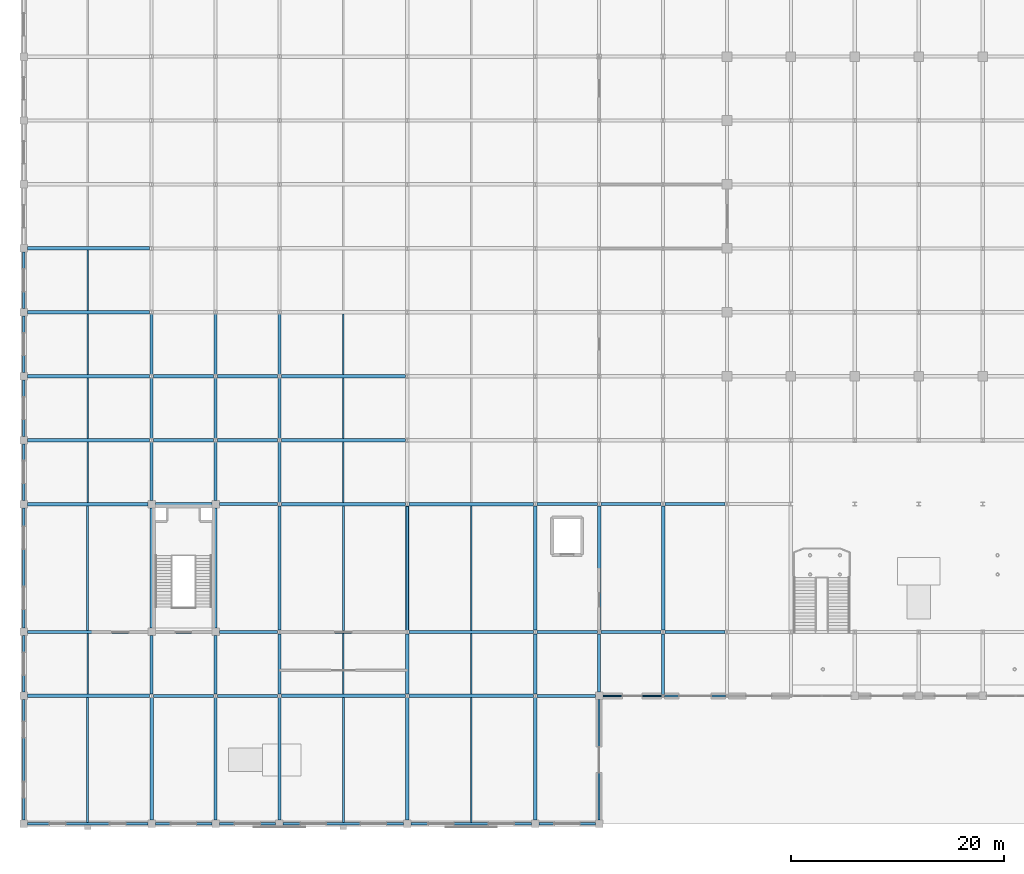
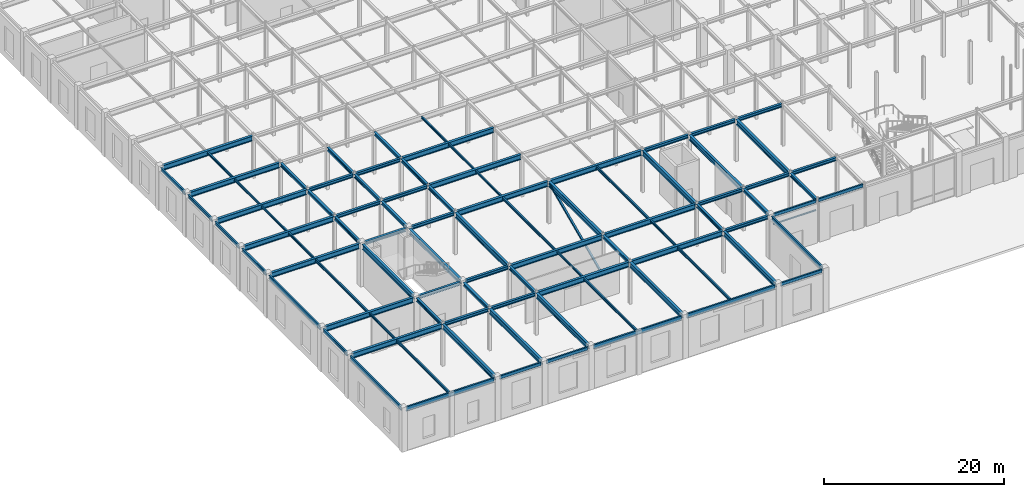
# One storey, part 28 of 51: 93 beams, 1 member.
"""IFC4 building model written with IfcOpenShell, lengths in metres."""

from ifc_helpers import new_model, si_unit, direction, frame, origin, origin_2d, place, context, subcontext, project, spatial, hollow_rectangle, i_section, extrude, material, material_profile, profile_set, type_object, element, save


model = new_model("IFC4")

# Units and contexts
model_context = context("Model", 3, precision=1e-05, world=origin(), true_north=direction((0.0, 1.0)))
body_context = subcontext(model_context, "Body", "Model", "MODEL_VIEW")
ifc_project = project(units=[si_unit("LENGTHUNIT", "METRE"), si_unit("AREAUNIT", "SQUARE_METRE"), si_unit("VOLUMEUNIT", "CUBIC_METRE"), si_unit("PLANEANGLEUNIT", "RADIAN"), si_unit("MASSUNIT", "GRAM", prefix="KILO")], contexts=[model_context])

# Site, building, storey
site_placement = place(None, origin())
site = spatial("IfcSite", under=ifc_project, at=site_placement, CompositionType="ELEMENT")
building_placement = place(site_placement, origin())
building = spatial("IfcBuilding", under=site, at=building_placement, Name="Zlatovratsky Civic Hall", CompositionType="ELEMENT")
storey_placement = place(building_placement, origin())
storey = spatial("IfcBuildingStorey", under=building, at=storey_placement, Name="L01", CompositionType="ELEMENT", Elevation=0.0)

# Beams
ifc_material = material(Name="Steel S355", Category="steel")
ifc_material_profile_1 = material_profile(ifc_material, i_section(OverallWidth=0.320068359375, OverallDepth=0.68310546875, WebThickness=0.012939453125, FlangeThickness=0.01904296875, FilletRadius=0.02587890625, at=origin_2d()), Name="70Sh1")
ifc_profile_set_1 = profile_set([ifc_material_profile_1], Name="Steel S355")
beam_type_1 = type_object("IfcBeamType", Name="Beam_HallGirder_70Sh1", PredefinedType="BEAM", material=ifc_profile_set_1)
beam_1_placement = place(storey_placement, frame((0.35009765625, 12.0, 5.41845703125), z_axis=(1.0, 0.0, 0.0), x_axis=(0.0, 1.0, 0.0)))
element("IfcBeam", 1, at=beam_1_placement, inside=storey, type_object=beam_type_1, Name="BM-0881", PredefinedType="BEAM", context=body_context, shape_type="SweptSolid", body=[
    extrude(i_section(OverallWidth=0.320068359375, OverallDepth=0.68310546875, WebThickness=0.012939453125, FlangeThickness=0.01904296875, FilletRadius=0.02587890625, at=origin_2d()), origin(), (0.0, 0.0, 1.0), 11.474853515625),
])
for number, where, z_axis, x_axis, name in (
    (2, (24.175048828125, 12.0, 5.41845703125), (1.0, 0.0, 0.0), (0.0, 1.0, 0.0), "BM-0884"),
    (3, (36.175048828125, 12.0, 5.41845703125), (1.0, 0.0, 0.0), (0.0, 1.0, 0.0), "BM-0885"),
):
    element("IfcBeam", number, at=place(storey_placement, frame(where, z_axis=z_axis, x_axis=x_axis)), inside=storey, type_object=beam_type_1, Name=name, PredefinedType="BEAM", context=body_context, shape_type="SweptSolid", body=[
        extrude(i_section(OverallWidth=0.320068359375, OverallDepth=0.68310546875, WebThickness=0.012939453125, FlangeThickness=0.01904296875, FilletRadius=0.02587890625, at=origin_2d()), origin(), (0.0, 0.0, 1.0), 11.64990234375),
    ])
beam_2_placement = place(storey_placement, frame((0.35009765625, 18.0, 5.41845703125), z_axis=(1.0, 0.0, 0.0), x_axis=(0.0, 1.0, 0.0)))
element("IfcBeam", 4, at=beam_2_placement, inside=storey, type_object=beam_type_1, Name="BM-0903", PredefinedType="BEAM", context=body_context, shape_type="SweptSolid", body=[
    extrude(i_section(OverallWidth=0.320068359375, OverallDepth=0.68310546875, WebThickness=0.012939453125, FlangeThickness=0.01904296875, FilletRadius=0.02587890625, at=origin_2d()), origin(), (0.0, 0.0, 1.0), 11.2998046875),
])
for number, where, z_axis, x_axis, name in (
    (5, (24.175048828125, 18.0, 5.41845703125), (1.0, 0.0, 0.0), (0.0, 1.0, 0.0), "BM-0906"),
    (6, (36.175048828125, 18.0, 5.41845703125), (1.0, 0.0, 0.0), (0.0, 1.0, 0.0), "BM-0907"),
):
    element("IfcBeam", number, at=place(storey_placement, frame(where, z_axis=z_axis, x_axis=x_axis)), inside=storey, type_object=beam_type_1, Name=name, PredefinedType="BEAM", context=body_context, shape_type="SweptSolid", body=[
        extrude(i_section(OverallWidth=0.320068359375, OverallDepth=0.68310546875, WebThickness=0.012939453125, FlangeThickness=0.01904296875, FilletRadius=0.02587890625, at=origin_2d()), origin(), (0.0, 0.0, 1.0), 11.64990234375),
    ])
beam_3_placement = place(storey_placement, frame((0.35009765625, 30.0, 5.41845703125), z_axis=(1.0, 0.0, 0.0), x_axis=(0.0, 1.0, 0.0)))
element("IfcBeam", 7, at=beam_3_placement, inside=storey, type_object=beam_type_1, Name="BM-0925", PredefinedType="BEAM", context=body_context, shape_type="SweptSolid", body=[
    extrude(i_section(OverallWidth=0.320068359375, OverallDepth=0.68310546875, WebThickness=0.012939453125, FlangeThickness=0.01904296875, FilletRadius=0.02587890625, at=origin_2d()), origin(), (0.0, 0.0, 1.0), 11.2998046875),
])
for number, where, z_axis, x_axis, name in (
    (8, (24.175048828125, 30.0, 5.41845703125), (1.0, 0.0, 0.0), (0.0, 1.0, 0.0), "BM-0928"),
    (9, (36.175048828125, 30.0, 5.41845703125), (1.0, 0.0, 0.0), (0.0, 1.0, 0.0), "BM-0929"),
):
    element("IfcBeam", number, at=place(storey_placement, frame(where, z_axis=z_axis, x_axis=x_axis)), inside=storey, type_object=beam_type_1, Name=name, PredefinedType="BEAM", context=body_context, shape_type="SweptSolid", body=[
        extrude(i_section(OverallWidth=0.320068359375, OverallDepth=0.68310546875, WebThickness=0.012939453125, FlangeThickness=0.01904296875, FilletRadius=0.02587890625, at=origin_2d()), origin(), (0.0, 0.0, 1.0), 11.64990234375),
    ])
beam_4_placement = place(storey_placement, frame((0.35009765625, 36.0, 5.41845703125), z_axis=(1.0, 0.0, 0.0), x_axis=(0.0, 1.0, 0.0)))
element("IfcBeam", 10, at=beam_4_placement, inside=storey, type_object=beam_type_1, Name="BM-0943", PredefinedType="BEAM", context=body_context, shape_type="SweptSolid", body=[
    extrude(i_section(OverallWidth=0.320068359375, OverallDepth=0.68310546875, WebThickness=0.012939453125, FlangeThickness=0.01904296875, FilletRadius=0.02587890625, at=origin_2d()), origin(), (0.0, 0.0, 1.0), 11.474853515625),
])
beam_5_placement = place(storey_placement, frame((24.175048828125, 36.0, 5.41845703125), z_axis=(1.0, 0.0, 0.0), x_axis=(0.0, 1.0, 0.0)))
element("IfcBeam", 11, at=beam_5_placement, inside=storey, type_object=beam_type_1, Name="BM-0946", PredefinedType="BEAM", context=body_context, shape_type="SweptSolid", body=[
    extrude(i_section(OverallWidth=0.320068359375, OverallDepth=0.68310546875, WebThickness=0.012939453125, FlangeThickness=0.01904296875, FilletRadius=0.02587890625, at=origin_2d()), origin(), (0.0, 0.0, 1.0), 11.64990234375),
])
beam_6_placement = place(storey_placement, frame((0.35009765625, 42.0, 5.41845703125), z_axis=(1.0, 0.0, 0.0), x_axis=(0.0, 1.0, 0.0)))
element("IfcBeam", 12, at=beam_6_placement, inside=storey, type_object=beam_type_1, Name="BM-0965", PredefinedType="BEAM", context=body_context, shape_type="SweptSolid", body=[
    extrude(i_section(OverallWidth=0.320068359375, OverallDepth=0.68310546875, WebThickness=0.012939453125, FlangeThickness=0.01904296875, FilletRadius=0.02587890625, at=origin_2d()), origin(), (0.0, 0.0, 1.0), 11.474853515625),
])
beam_7_placement = place(storey_placement, frame((24.175048828125, 42.0, 5.41845703125), z_axis=(1.0, 0.0, 0.0), x_axis=(0.0, 1.0, 0.0)))
element("IfcBeam", 13, at=beam_7_placement, inside=storey, type_object=beam_type_1, Name="BM-0968", PredefinedType="BEAM", context=body_context, shape_type="SweptSolid", body=[
    extrude(i_section(OverallWidth=0.320068359375, OverallDepth=0.68310546875, WebThickness=0.012939453125, FlangeThickness=0.01904296875, FilletRadius=0.02587890625, at=origin_2d()), origin(), (0.0, 0.0, 1.0), 11.64990234375),
])
for number, where, z_axis, x_axis, name in (
    (14, (0.35009765625, 48.0, 5.41845703125), (1.0, 0.0, 0.0), (0.0, 1.0, 0.0), "BM-0987"),
    (15, (0.35009765625, 54.0, 5.41845703125), (1.0, 0.0, 0.0), (0.0, 1.0, 0.0), "BM-1009"),
):
    element("IfcBeam", number, at=place(storey_placement, frame(where, z_axis=z_axis, x_axis=x_axis)), inside=storey, type_object=beam_type_1, Name=name, PredefinedType="BEAM", context=body_context, shape_type="SweptSolid", body=[
        extrude(i_section(OverallWidth=0.320068359375, OverallDepth=0.68310546875, WebThickness=0.012939453125, FlangeThickness=0.01904296875, FilletRadius=0.02587890625, at=origin_2d()), origin(), (0.0, 0.0, 1.0), 11.474853515625),
    ])
beam_8_placement = place(storey_placement, frame((12.0, 0.35009765625, 5.41845703125), z_axis=(0.0, 1.0, 0.0), x_axis=(-1.0, 0.0, 0.0)))
element("IfcBeam", 16, at=beam_8_placement, inside=storey, type_object=beam_type_1, Name="BM-1264", PredefinedType="BEAM", context=body_context, shape_type="SweptSolid", body=[
    extrude(i_section(OverallWidth=0.320068359375, OverallDepth=0.68310546875, WebThickness=0.012939453125, FlangeThickness=0.01904296875, FilletRadius=0.02587890625, at=origin_2d()), origin(), (0.0, 0.0, 1.0), 11.478515625),
])
beam_9_placement = place(storey_placement, frame((12.0, 18.35009765625, 5.41845703125), z_axis=(0.0, 1.0, 0.0), x_axis=(-1.0, 0.0, 0.0)))
element("IfcBeam", 17, at=beam_9_placement, inside=storey, type_object=beam_type_1, Name="BM-1266", PredefinedType="BEAM", context=body_context, shape_type="SweptSolid", body=[
    extrude(i_section(OverallWidth=0.320068359375, OverallDepth=0.68310546875, WebThickness=0.012939453125, FlangeThickness=0.01904296875, FilletRadius=0.02587890625, at=origin_2d()), origin(), (0.0, 0.0, 1.0), 11.2998046875),
])
beam_10_placement = place(storey_placement, frame((18.0, 0.35009765625, 5.41845703125), z_axis=(0.0, 1.0, 0.0), x_axis=(-1.0, 0.0, 0.0)))
element("IfcBeam", 18, at=beam_10_placement, inside=storey, type_object=beam_type_1, Name="BM-1281", PredefinedType="BEAM", context=body_context, shape_type="SweptSolid", body=[
    extrude(i_section(OverallWidth=0.320068359375, OverallDepth=0.68310546875, WebThickness=0.012939453125, FlangeThickness=0.01904296875, FilletRadius=0.02587890625, at=origin_2d()), origin(), (0.0, 0.0, 1.0), 11.478515625),
])
beam_11_placement = place(storey_placement, frame((18.0, 18.35009765625, 5.41845703125), z_axis=(0.0, 1.0, 0.0), x_axis=(-1.0, 0.0, 0.0)))
element("IfcBeam", 19, at=beam_11_placement, inside=storey, type_object=beam_type_1, Name="BM-1283", PredefinedType="BEAM", context=body_context, shape_type="SweptSolid", body=[
    extrude(i_section(OverallWidth=0.320068359375, OverallDepth=0.68310546875, WebThickness=0.012939453125, FlangeThickness=0.01904296875, FilletRadius=0.02587890625, at=origin_2d()), origin(), (0.0, 0.0, 1.0), 11.2998046875),
])
beam_12_placement = place(storey_placement, frame((24.0, 0.35009765625, 5.41845703125), z_axis=(0.0, 1.0, 0.0), x_axis=(-1.0, 0.0, 0.0)))
element("IfcBeam", 20, at=beam_12_placement, inside=storey, type_object=beam_type_1, Name="BM-1298", PredefinedType="BEAM", context=body_context, shape_type="SweptSolid", body=[
    extrude(i_section(OverallWidth=0.320068359375, OverallDepth=0.68310546875, WebThickness=0.012939453125, FlangeThickness=0.01904296875, FilletRadius=0.02587890625, at=origin_2d()), origin(), (0.0, 0.0, 1.0), 11.478515625),
])
beam_13_placement = place(storey_placement, frame((24.0, 18.17138671875, 5.41845703125), z_axis=(0.0, 1.0, 0.0), x_axis=(-1.0, 0.0, 0.0)))
element("IfcBeam", 21, at=beam_13_placement, inside=storey, type_object=beam_type_1, Name="BM-1300", PredefinedType="BEAM", context=body_context, shape_type="SweptSolid", body=[
    extrude(i_section(OverallWidth=0.320068359375, OverallDepth=0.68310546875, WebThickness=0.012939453125, FlangeThickness=0.01904296875, FilletRadius=0.02587890625, at=origin_2d()), origin(), (0.0, 0.0, 1.0), 11.6572265625),
])
beam_14_placement = place(storey_placement, frame((36.0, 0.35009765625, 5.41845703125), z_axis=(0.0, 1.0, 0.0), x_axis=(-1.0, 0.0, 0.0)))
element("IfcBeam", 22, at=beam_14_placement, inside=storey, type_object=beam_type_1, Name="BM-1315", PredefinedType="BEAM", context=body_context, shape_type="SweptSolid", body=[
    extrude(i_section(OverallWidth=0.320068359375, OverallDepth=0.68310546875, WebThickness=0.012939453125, FlangeThickness=0.01904296875, FilletRadius=0.02587890625, at=origin_2d()), origin(), (0.0, 0.0, 1.0), 11.478515625),
])
beam_15_placement = place(storey_placement, frame((36.0, 18.17138671875, 5.41845703125), z_axis=(0.0, 1.0, 0.0), x_axis=(-1.0, 0.0, 0.0)))
element("IfcBeam", 23, at=beam_15_placement, inside=storey, type_object=beam_type_1, Name="BM-1317", PredefinedType="BEAM", context=body_context, shape_type="SweptSolid", body=[
    extrude(i_section(OverallWidth=0.320068359375, OverallDepth=0.68310546875, WebThickness=0.012939453125, FlangeThickness=0.01904296875, FilletRadius=0.02587890625, at=origin_2d()), origin(), (0.0, 0.0, 1.0), 11.6572265625),
])
beam_16_placement = place(storey_placement, frame((48.0, 0.35009765625, 5.41845703125), z_axis=(0.0, 1.0, 0.0), x_axis=(-1.0, 0.0, 0.0)))
element("IfcBeam", 24, at=beam_16_placement, inside=storey, type_object=beam_type_1, Name="BM-1332", PredefinedType="BEAM", context=body_context, shape_type="SweptSolid", body=[
    extrude(i_section(OverallWidth=0.320068359375, OverallDepth=0.68310546875, WebThickness=0.012939453125, FlangeThickness=0.01904296875, FilletRadius=0.02587890625, at=origin_2d()), origin(), (0.0, 0.0, 1.0), 11.478515625),
])
for number, where, z_axis, x_axis, name in (
    (25, (48.0, 18.17138671875, 5.41845703125), (0.0, 1.0, 0.0), (-1.0, 0.0, 0.0), "BM-1334"),
    (26, (54.0, 18.17138671875, 5.41845703125), (0.0, 1.0, 0.0), (-1.0, 0.0, 0.0), "BM-1351"),
    (27, (60.0, 18.17138671875, 5.41845703125), (0.0, 1.0, 0.0), (-1.0, 0.0, 0.0), "BM-1367"),
):
    element("IfcBeam", number, at=place(storey_placement, frame(where, z_axis=z_axis, x_axis=x_axis)), inside=storey, type_object=beam_type_1, Name=name, PredefinedType="BEAM", context=body_context, shape_type="SweptSolid", body=[
        extrude(i_section(OverallWidth=0.320068359375, OverallDepth=0.68310546875, WebThickness=0.012939453125, FlangeThickness=0.01904296875, FilletRadius=0.02587890625, at=origin_2d()), origin(), (0.0, 0.0, 1.0), 11.6572265625),
    ])
ifc_material_profile_2 = material_profile(ifc_material, i_section(OverallWidth=0.198974609375, OverallDepth=0.491943359375, WebThickness=0.0087890625, FlangeThickness=0.011962890625, FilletRadius=0.01611328125, at=origin_2d()), Name="50B1")
ifc_profile_set_2 = profile_set([ifc_material_profile_2], Name="Steel S355")
beam_type_2 = type_object("IfcBeamType", Name="Beam_Spandrel_50B1", PredefinedType="SPANDREL", material=ifc_profile_set_2)
for number, where, z_axis, x_axis, name in (
    (28, (12.35009765625, 0.0, 5.513916015625), (1.0, 0.0, 0.0), (0.0, 1.0, 0.0), "BM-0870"),
    (29, (18.35009765625, 0.0, 5.513916015625), (1.0, 0.0, 0.0), (0.0, 1.0, 0.0), "BM-0871"),
    (30, (48.35009765625, 0.0, 5.513916015625), (1.0, 0.0, 0.0), (0.0, 1.0, 0.0), "BM-0874"),
):
    element("IfcBeam", number, at=place(storey_placement, frame(where, z_axis=z_axis, x_axis=x_axis)), inside=storey, type_object=beam_type_2, Name=name, PredefinedType="SPANDREL", context=body_context, shape_type="SweptSolid", body=[
        extrude(i_section(OverallWidth=0.198974609375, OverallDepth=0.491943359375, WebThickness=0.0087890625, FlangeThickness=0.011962890625, FilletRadius=0.01611328125, at=origin_2d()), origin(), (0.0, 0.0, 1.0), 5.2998046875),
    ])
beam_17_placement = place(storey_placement, frame((54.35009765625, 12.0, 5.513916015625), z_axis=(1.0, 0.0, 0.0), x_axis=(0.0, 1.0, 0.0)))
element("IfcBeam", 31, at=beam_17_placement, inside=storey, type_object=beam_type_2, Name="BM-0887", PredefinedType="SPANDREL", context=body_context, shape_type="SweptSolid", body=[
    extrude(i_section(OverallWidth=0.198974609375, OverallDepth=0.491943359375, WebThickness=0.0087890625, FlangeThickness=0.011962890625, FilletRadius=0.01611328125, at=origin_2d()), origin(), (0.0, 0.0, 1.0), 5.513427734375),
])
beam_18_placement = place(storey_placement, frame((60.136474609375, 12.0, 5.513916015625), z_axis=(1.0, 0.0, 0.0), x_axis=(0.0, 1.0, 0.0)))
element("IfcBeam", 32, at=beam_18_placement, inside=storey, type_object=beam_type_2, Name="BM-0888", PredefinedType="SPANDREL", context=body_context, shape_type="SweptSolid", body=[
    extrude(i_section(OverallWidth=0.198974609375, OverallDepth=0.491943359375, WebThickness=0.0087890625, FlangeThickness=0.011962890625, FilletRadius=0.01611328125, at=origin_2d()), origin(), (0.0, 0.0, 1.0), 5.72705078125),
])
for number, where, z_axis, x_axis, name in (
    (33, (0.0, 12.35009765625, 5.513916015625), (0.0, 1.0, 0.0), (-1.0, 0.0, 0.0), "BM-1248"),
    (34, (0.0, 30.35009765625, 5.513916015625), (0.0, 1.0, 0.0), (-1.0, 0.0, 0.0), "BM-1250"),
    (35, (0.0, 36.35009765625, 5.513916015625), (0.0, 1.0, 0.0), (-1.0, 0.0, 0.0), "BM-1251"),
    (36, (0.0, 42.35009765625, 5.513916015625), (0.0, 1.0, 0.0), (-1.0, 0.0, 0.0), "BM-1252"),
    (37, (0.0, 48.35009765625, 5.513916015625), (0.0, 1.0, 0.0), (-1.0, 0.0, 0.0), "BM-1253"),
):
    element("IfcBeam", number, at=place(storey_placement, frame(where, z_axis=z_axis, x_axis=x_axis)), inside=storey, type_object=beam_type_2, Name=name, PredefinedType="SPANDREL", context=body_context, shape_type="SweptSolid", body=[
        extrude(i_section(OverallWidth=0.198974609375, OverallDepth=0.491943359375, WebThickness=0.0087890625, FlangeThickness=0.011962890625, FilletRadius=0.01611328125, at=origin_2d()), origin(), (0.0, 0.0, 1.0), 5.2998046875),
    ])
ifc_material_profile_3 = material_profile(ifc_material, i_section(OverallWidth=0.198974609375, OverallDepth=0.593017578125, WebThickness=0.010498046875, FlangeThickness=0.014892578125, FilletRadius=0.01806640625, at=origin_2d()), Name="60B1")
ifc_profile_set_3 = profile_set([ifc_material_profile_3], Name="Steel S355")
beam_type_3 = type_object("IfcBeamType", Name="Beam_Spandrel_60B1", PredefinedType="SPANDREL", material=ifc_profile_set_3)
for number, where, z_axis, x_axis, name in (
    (38, (0.35009765625, 0.0, 5.46337890625), (1.0, 0.0, 0.0), (0.0, 1.0, 0.0), "BM-0869"),
    (39, (24.35009765625, 0.0, 5.46337890625), (1.0, 0.0, 0.0), (0.0, 1.0, 0.0), "BM-0872"),
    (40, (36.35009765625, 0.0, 5.46337890625), (1.0, 0.0, 0.0), (0.0, 1.0, 0.0), "BM-0873"),
    (41, (0.0, 0.35009765625, 5.46337890625), (0.0, 1.0, 0.0), (-1.0, 0.0, 0.0), "BM-1247"),
    (42, (0.0, 18.35009765625, 5.46337890625), (0.0, 1.0, 0.0), (-1.0, 0.0, 0.0), "BM-1249"),
    (43, (54.0, 0.35009765625, 5.46337890625), (0.0, 1.0, 0.0), (-1.0, 0.0, 0.0), "BM-1349"),
):
    element("IfcBeam", number, at=place(storey_placement, frame(where, z_axis=z_axis, x_axis=x_axis)), inside=storey, type_object=beam_type_3, Name=name, PredefinedType="SPANDREL", context=body_context, shape_type="SweptSolid", body=[
        extrude(i_section(OverallWidth=0.198974609375, OverallDepth=0.593017578125, WebThickness=0.010498046875, FlangeThickness=0.014892578125, FilletRadius=0.01806640625, at=origin_2d()), origin(), (0.0, 0.0, 1.0), 11.2998046875),
    ])
ifc_material_profile_4 = material_profile(ifc_material, i_section(OverallWidth=0.300048828125, OverallDepth=0.43994140625, WebThickness=0.010986328125, FlangeThickness=0.01806640625, FilletRadius=0.02197265625, at=origin_2d()), Name="45Sh1")
ifc_profile_set_4 = profile_set([ifc_material_profile_4], Name="Steel S355")
beam_type_4 = type_object("IfcBeamType", Name="Beam_TowerLow_45Sh1", PredefinedType="BEAM", material=ifc_profile_set_4)
for number, where, z_axis, x_axis, name in (
    (44, (12.175048828125, 12.0, 5.5400390625), (1.0, 0.0, 0.0), (0.0, 1.0, 0.0), "BM-0882"),
    (45, (18.175048828125, 12.0, 5.5400390625), (1.0, 0.0, 0.0), (0.0, 1.0, 0.0), "BM-0883"),
):
    element("IfcBeam", number, at=place(storey_placement, frame(where, z_axis=z_axis, x_axis=x_axis)), inside=storey, type_object=beam_type_4, Name=name, PredefinedType="BEAM", context=body_context, shape_type="SweptSolid", body=[
        extrude(i_section(OverallWidth=0.300048828125, OverallDepth=0.43994140625, WebThickness=0.010986328125, FlangeThickness=0.01806640625, FilletRadius=0.02197265625, at=origin_2d()), origin(), (0.0, 0.0, 1.0), 5.64990234375),
    ])
beam_19_placement = place(storey_placement, frame((48.175048828125, 12.0, 5.5400390625), z_axis=(1.0, 0.0, 0.0), x_axis=(0.0, 1.0, 0.0)))
element("IfcBeam", 46, at=beam_19_placement, inside=storey, type_object=beam_type_4, Name="BM-0886", PredefinedType="BEAM", context=body_context, shape_type="SweptSolid", body=[
    extrude(i_section(OverallWidth=0.300048828125, OverallDepth=0.43994140625, WebThickness=0.010986328125, FlangeThickness=0.01806640625, FilletRadius=0.02197265625, at=origin_2d()), origin(), (0.0, 0.0, 1.0), 5.474853515625),
])
beam_20_placement = place(storey_placement, frame((12.35009765625, 18.0, 5.5400390625), z_axis=(1.0, 0.0, 0.0), x_axis=(0.0, 1.0, 0.0)))
element("IfcBeam", 47, at=beam_20_placement, inside=storey, type_object=beam_type_4, Name="BM-0904", PredefinedType="BEAM", context=body_context, shape_type="SweptSolid", body=[
    extrude(i_section(OverallWidth=0.300048828125, OverallDepth=0.43994140625, WebThickness=0.010986328125, FlangeThickness=0.01806640625, FilletRadius=0.02197265625, at=origin_2d()), origin(), (0.0, 0.0, 1.0), 5.2998046875),
])
beam_21_placement = place(storey_placement, frame((18.35009765625, 18.0, 5.5400390625), z_axis=(1.0, 0.0, 0.0), x_axis=(0.0, 1.0, 0.0)))
element("IfcBeam", 48, at=beam_21_placement, inside=storey, type_object=beam_type_4, Name="BM-0905", PredefinedType="BEAM", context=body_context, shape_type="SweptSolid", body=[
    extrude(i_section(OverallWidth=0.300048828125, OverallDepth=0.43994140625, WebThickness=0.010986328125, FlangeThickness=0.01806640625, FilletRadius=0.02197265625, at=origin_2d()), origin(), (0.0, 0.0, 1.0), 5.474853515625),
])
for number, where, z_axis, x_axis, name in (
    (49, (48.175048828125, 18.0, 5.5400390625), (1.0, 0.0, 0.0), (0.0, 1.0, 0.0), "BM-0908"),
    (50, (54.175048828125, 18.0, 5.5400390625), (1.0, 0.0, 0.0), (0.0, 1.0, 0.0), "BM-0909"),
    (51, (60.175048828125, 18.0, 5.5400390625), (1.0, 0.0, 0.0), (0.0, 1.0, 0.0), "BM-0910"),
):
    element("IfcBeam", number, at=place(storey_placement, frame(where, z_axis=z_axis, x_axis=x_axis)), inside=storey, type_object=beam_type_4, Name=name, PredefinedType="BEAM", context=body_context, shape_type="SweptSolid", body=[
        extrude(i_section(OverallWidth=0.300048828125, OverallDepth=0.43994140625, WebThickness=0.010986328125, FlangeThickness=0.01806640625, FilletRadius=0.02197265625, at=origin_2d()), origin(), (0.0, 0.0, 1.0), 5.64990234375),
    ])
beam_22_placement = place(storey_placement, frame((12.35009765625, 30.0, 5.5400390625), z_axis=(1.0, 0.0, 0.0), x_axis=(0.0, 1.0, 0.0)))
element("IfcBeam", 52, at=beam_22_placement, inside=storey, type_object=beam_type_4, Name="BM-0926", PredefinedType="BEAM", context=body_context, shape_type="SweptSolid", body=[
    extrude(i_section(OverallWidth=0.300048828125, OverallDepth=0.43994140625, WebThickness=0.010986328125, FlangeThickness=0.01806640625, FilletRadius=0.02197265625, at=origin_2d()), origin(), (0.0, 0.0, 1.0), 5.2998046875),
])
beam_23_placement = place(storey_placement, frame((18.35009765625, 30.0, 5.5400390625), z_axis=(1.0, 0.0, 0.0), x_axis=(0.0, 1.0, 0.0)))
element("IfcBeam", 53, at=beam_23_placement, inside=storey, type_object=beam_type_4, Name="BM-0927", PredefinedType="BEAM", context=body_context, shape_type="SweptSolid", body=[
    extrude(i_section(OverallWidth=0.300048828125, OverallDepth=0.43994140625, WebThickness=0.010986328125, FlangeThickness=0.01806640625, FilletRadius=0.02197265625, at=origin_2d()), origin(), (0.0, 0.0, 1.0), 5.474853515625),
])
for number, where, z_axis, x_axis, name in (
    (54, (48.175048828125, 30.0, 5.5400390625), (1.0, 0.0, 0.0), (0.0, 1.0, 0.0), "BM-0930"),
    (55, (54.175048828125, 30.0, 5.5400390625), (1.0, 0.0, 0.0), (0.0, 1.0, 0.0), "BM-0931"),
    (56, (60.175048828125, 30.0, 5.5400390625), (1.0, 0.0, 0.0), (0.0, 1.0, 0.0), "BM-0932"),
    (57, (12.175048828125, 36.0, 5.5400390625), (1.0, 0.0, 0.0), (0.0, 1.0, 0.0), "BM-0944"),
    (58, (18.175048828125, 36.0, 5.5400390625), (1.0, 0.0, 0.0), (0.0, 1.0, 0.0), "BM-0945"),
    (59, (12.175048828125, 42.0, 5.5400390625), (1.0, 0.0, 0.0), (0.0, 1.0, 0.0), "BM-0966"),
    (60, (18.175048828125, 42.0, 5.5400390625), (1.0, 0.0, 0.0), (0.0, 1.0, 0.0), "BM-0967"),
):
    element("IfcBeam", number, at=place(storey_placement, frame(where, z_axis=z_axis, x_axis=x_axis)), inside=storey, type_object=beam_type_4, Name=name, PredefinedType="BEAM", context=body_context, shape_type="SweptSolid", body=[
        extrude(i_section(OverallWidth=0.300048828125, OverallDepth=0.43994140625, WebThickness=0.010986328125, FlangeThickness=0.01806640625, FilletRadius=0.02197265625, at=origin_2d()), origin(), (0.0, 0.0, 1.0), 5.64990234375),
    ])
for number, where, z_axis, x_axis, name in (
    (61, (12.0, 12.17138671875, 5.5400390625), (0.0, 1.0, 0.0), (-1.0, 0.0, 0.0), "BM-1265"),
    (62, (12.0, 30.35009765625, 5.5400390625), (0.0, 1.0, 0.0), (-1.0, 0.0, 0.0), "BM-1267"),
):
    element("IfcBeam", number, at=place(storey_placement, frame(where, z_axis=z_axis, x_axis=x_axis)), inside=storey, type_object=beam_type_4, Name=name, PredefinedType="BEAM", context=body_context, shape_type="SweptSolid", body=[
        extrude(i_section(OverallWidth=0.300048828125, OverallDepth=0.43994140625, WebThickness=0.010986328125, FlangeThickness=0.01806640625, FilletRadius=0.02197265625, at=origin_2d()), origin(), (0.0, 0.0, 1.0), 5.478515625),
    ])
for number, where, z_axis, x_axis, name in (
    (63, (12.0, 36.17138671875, 5.5400390625), (0.0, 1.0, 0.0), (-1.0, 0.0, 0.0), "BM-1268"),
    (64, (12.0, 42.17138671875, 5.5400390625), (0.0, 1.0, 0.0), (-1.0, 0.0, 0.0), "BM-1269"),
):
    element("IfcBeam", number, at=place(storey_placement, frame(where, z_axis=z_axis, x_axis=x_axis)), inside=storey, type_object=beam_type_4, Name=name, PredefinedType="BEAM", context=body_context, shape_type="SweptSolid", body=[
        extrude(i_section(OverallWidth=0.300048828125, OverallDepth=0.43994140625, WebThickness=0.010986328125, FlangeThickness=0.01806640625, FilletRadius=0.02197265625, at=origin_2d()), origin(), (0.0, 0.0, 1.0), 5.6572265625),
    ])
for number, where, z_axis, x_axis, name in (
    (65, (18.0, 12.17138671875, 5.5400390625), (0.0, 1.0, 0.0), (-1.0, 0.0, 0.0), "BM-1282"),
    (66, (18.0, 30.35009765625, 5.5400390625), (0.0, 1.0, 0.0), (-1.0, 0.0, 0.0), "BM-1284"),
):
    element("IfcBeam", number, at=place(storey_placement, frame(where, z_axis=z_axis, x_axis=x_axis)), inside=storey, type_object=beam_type_4, Name=name, PredefinedType="BEAM", context=body_context, shape_type="SweptSolid", body=[
        extrude(i_section(OverallWidth=0.300048828125, OverallDepth=0.43994140625, WebThickness=0.010986328125, FlangeThickness=0.01806640625, FilletRadius=0.02197265625, at=origin_2d()), origin(), (0.0, 0.0, 1.0), 5.478515625),
    ])
for number, where, z_axis, x_axis, name in (
    (67, (18.0, 36.17138671875, 5.5400390625), (0.0, 1.0, 0.0), (-1.0, 0.0, 0.0), "BM-1285"),
    (68, (18.0, 42.17138671875, 5.5400390625), (0.0, 1.0, 0.0), (-1.0, 0.0, 0.0), "BM-1286"),
    (69, (24.0, 12.17138671875, 5.5400390625), (0.0, 1.0, 0.0), (-1.0, 0.0, 0.0), "BM-1299"),
    (70, (24.0, 30.17138671875, 5.5400390625), (0.0, 1.0, 0.0), (-1.0, 0.0, 0.0), "BM-1301"),
    (71, (24.0, 36.17138671875, 5.5400390625), (0.0, 1.0, 0.0), (-1.0, 0.0, 0.0), "BM-1302"),
    (72, (24.0, 42.17138671875, 5.5400390625), (0.0, 1.0, 0.0), (-1.0, 0.0, 0.0), "BM-1303"),
    (73, (36.0, 12.17138671875, 5.5400390625), (0.0, 1.0, 0.0), (-1.0, 0.0, 0.0), "BM-1316"),
    (74, (48.0, 12.17138671875, 5.5400390625), (0.0, 1.0, 0.0), (-1.0, 0.0, 0.0), "BM-1333"),
):
    element("IfcBeam", number, at=place(storey_placement, frame(where, z_axis=z_axis, x_axis=x_axis)), inside=storey, type_object=beam_type_4, Name=name, PredefinedType="BEAM", context=body_context, shape_type="SweptSolid", body=[
        extrude(i_section(OverallWidth=0.300048828125, OverallDepth=0.43994140625, WebThickness=0.010986328125, FlangeThickness=0.01806640625, FilletRadius=0.02197265625, at=origin_2d()), origin(), (0.0, 0.0, 1.0), 5.6572265625),
    ])
beam_24_placement = place(storey_placement, frame((54.0, 12.35009765625, 5.5400390625), z_axis=(0.0, 1.0, 0.0), x_axis=(-1.0, 0.0, 0.0)))
element("IfcBeam", 75, at=beam_24_placement, inside=storey, type_object=beam_type_4, Name="BM-1350", PredefinedType="BEAM", context=body_context, shape_type="SweptSolid", body=[
    extrude(i_section(OverallWidth=0.300048828125, OverallDepth=0.43994140625, WebThickness=0.010986328125, FlangeThickness=0.01806640625, FilletRadius=0.02197265625, at=origin_2d()), origin(), (0.0, 0.0, 1.0), 5.478515625),
])
beam_25_placement = place(storey_placement, frame((60.0, 12.136474609375, 5.5400390625), z_axis=(0.0, 1.0, 0.0), x_axis=(-1.0, 0.0, 0.0)))
element("IfcBeam", 76, at=beam_25_placement, inside=storey, type_object=beam_type_4, Name="BM-1366", PredefinedType="BEAM", context=body_context, shape_type="SweptSolid", body=[
    extrude(i_section(OverallWidth=0.300048828125, OverallDepth=0.43994140625, WebThickness=0.010986328125, FlangeThickness=0.01806640625, FilletRadius=0.02197265625, at=origin_2d()), origin(), (0.0, 0.0, 1.0), 5.692138671875),
])

# Member
ifc_material_profile_5 = material_profile(ifc_material, hollow_rectangle(XDim=0.219970703125, YDim=0.219970703125, WallThickness=0.010009765625, at=origin_2d()), Name="SHS 220x220x10")
ifc_profile_set_5 = profile_set([ifc_material_profile_5], Name="Steel S355")
member_type = type_object("IfcMemberType", Name="Brace_Podium_SHS220", PredefinedType="BRACE", material=ifc_profile_set_5)
member_placement = place(storey_placement, frame((36.0, 18.17138671875, 0.25), z_axis=(0.0, 0.91325938585, 0.407378563693), x_axis=(-1.0, 0.0, 0.0)))
element("IfcMember", 77, at=member_placement, inside=storey, type_object=member_type, Name="MB-0096", PredefinedType="BRACE", context=body_context, shape_type="SweptSolid", body=[
    extrude(hollow_rectangle(XDim=0.219970703125, YDim=0.219970703125, WallThickness=0.010009765625, at=origin_2d()), origin(), (0.0, 0.0, 1.0), 12.764404296875),
])

# Beams
ifc_material_profile_6 = material_profile(ifc_material, i_section(OverallWidth=0.175048828125, OverallDepth=0.35009765625, WebThickness=0.007080078125, FlangeThickness=0.010986328125, FilletRadius=0.013916015625, at=origin_2d()), Name="35B2")
ifc_profile_set_6 = profile_set([ifc_material_profile_6], Name="Steel S355")
beam_type_5 = type_object("IfcBeamType", Name="Joist_Heavy_35B2", PredefinedType="JOIST", material=ifc_profile_set_6)
for number, where, z_axis, x_axis, name in (
    (78, (6.0, 0.099609375, 5.5849609375), (0.0, 1.0, 0.0), (-1.0, 0.0, 0.0), "BM-1623"),
    (79, (30.0, 0.099609375, 5.5849609375), (0.0, 1.0, 0.0), (-1.0, 0.0, 0.0), "BM-1624"),
    (80, (42.0, 0.099609375, 5.5849609375), (0.0, 1.0, 0.0), (-1.0, 0.0, 0.0), "BM-1625"),
):
    element("IfcBeam", number, at=place(storey_placement, frame(where, z_axis=z_axis, x_axis=x_axis)), inside=storey, type_object=beam_type_5, Name=name, PredefinedType="JOIST", context=body_context, shape_type="SweptSolid", body=[
        extrude(i_section(OverallWidth=0.175048828125, OverallDepth=0.35009765625, WebThickness=0.007080078125, FlangeThickness=0.010986328125, FilletRadius=0.013916015625, at=origin_2d()), origin(), (0.0, 0.0, 1.0), 11.740478515625),
    ])
for number, where, z_axis, x_axis, name in (
    (81, (6.0, 18.159912109375, 5.5849609375), (0.0, 1.0, 0.0), (-1.0, 0.0, 0.0), "BM-1635"),
    (82, (30.0, 18.159912109375, 5.5849609375), (0.0, 1.0, 0.0), (-1.0, 0.0, 0.0), "BM-1636"),
    (83, (42.0, 18.159912109375, 5.5849609375), (0.0, 1.0, 0.0), (-1.0, 0.0, 0.0), "BM-1637"),
):
    element("IfcBeam", number, at=place(storey_placement, frame(where, z_axis=z_axis, x_axis=x_axis)), inside=storey, type_object=beam_type_5, Name=name, PredefinedType="JOIST", context=body_context, shape_type="SweptSolid", body=[
        extrude(i_section(OverallWidth=0.175048828125, OverallDepth=0.35009765625, WebThickness=0.007080078125, FlangeThickness=0.010986328125, FilletRadius=0.013916015625, at=origin_2d()), origin(), (0.0, 0.0, 1.0), 11.68017578125),
    ])
ifc_material_profile_7 = material_profile(ifc_material, i_section(OverallWidth=0.14990234375, OverallDepth=0.300048828125, WebThickness=0.006591796875, FlangeThickness=0.009033203125, FilletRadius=0.012939453125, at=origin_2d()), Name="30B2")
ifc_profile_set_7 = profile_set([ifc_material_profile_7], Name="Steel S355")
beam_type_6 = type_object("IfcBeamType", Name="Joist_Podium_30B2", PredefinedType="JOIST", material=ifc_profile_set_7)
for number, where, z_axis, x_axis, name in (
    (84, (6.0, 12.159912109375, 5.610107421875), (0.0, 1.0, 0.0), (-1.0, 0.0, 0.0), "BM-1629"),
    (85, (30.0, 12.159912109375, 5.610107421875), (0.0, 1.0, 0.0), (-1.0, 0.0, 0.0), "BM-1630"),
    (86, (42.0, 12.159912109375, 5.610107421875), (0.0, 1.0, 0.0), (-1.0, 0.0, 0.0), "BM-1631"),
    (87, (6.0, 30.159912109375, 5.610107421875), (0.0, 1.0, 0.0), (-1.0, 0.0, 0.0), "BM-1641"),
    (88, (30.0, 30.159912109375, 5.610107421875), (0.0, 1.0, 0.0), (-1.0, 0.0, 0.0), "BM-1642"),
    (89, (6.0, 36.159912109375, 5.610107421875), (0.0, 1.0, 0.0), (-1.0, 0.0, 0.0), "BM-1647"),
    (90, (30.0, 36.159912109375, 5.610107421875), (0.0, 1.0, 0.0), (-1.0, 0.0, 0.0), "BM-1648"),
    (91, (6.0, 42.159912109375, 5.610107421875), (0.0, 1.0, 0.0), (-1.0, 0.0, 0.0), "BM-1653"),
    (92, (30.0, 42.159912109375, 5.610107421875), (0.0, 1.0, 0.0), (-1.0, 0.0, 0.0), "BM-1654"),
    (93, (6.0, 48.159912109375, 5.610107421875), (0.0, 1.0, 0.0), (-1.0, 0.0, 0.0), "BM-1659"),
):
    element("IfcBeam", number, at=place(storey_placement, frame(where, z_axis=z_axis, x_axis=x_axis)), inside=storey, type_object=beam_type_6, Name=name, PredefinedType="JOIST", context=body_context, shape_type="SweptSolid", body=[
        extrude(i_section(OverallWidth=0.14990234375, OverallDepth=0.300048828125, WebThickness=0.006591796875, FlangeThickness=0.009033203125, FilletRadius=0.012939453125, at=origin_2d()), origin(), (0.0, 0.0, 1.0), 5.68017578125),
    ])
ifc_material_profile_8 = material_profile(ifc_material, i_section(OverallWidth=0.10009765625, OverallDepth=0.199951171875, WebThickness=0.005615234375, FlangeThickness=0.008544921875, FilletRadius=0.011962890625, at=origin_2d()), Name="20B1")
ifc_profile_set_8 = profile_set([ifc_material_profile_8], Name="Steel S355")
beam_type_7 = type_object("IfcBeamType", Name="Lintel_Arcade_20B1", PredefinedType="LINTEL", material=ifc_profile_set_8)
beam_26_placement = place(storey_placement, frame((54.35009765625, 12.0, 4.300048828125), z_axis=(1.0, 0.0, 0.0), x_axis=(0.0, 1.0, 0.0)))
element("IfcBeam", 94, at=beam_26_placement, inside=storey, type_object=beam_type_7, Name="BM-5394", PredefinedType="LINTEL", context=body_context, shape_type="SweptSolid", body=[
    extrude(i_section(OverallWidth=0.10009765625, OverallDepth=0.199951171875, WebThickness=0.005615234375, FlangeThickness=0.008544921875, FilletRadius=0.011962890625, at=origin_2d()), origin(), (0.0, 0.0, 1.0), 5.513427734375),
])

save(model, "model.ifc")
